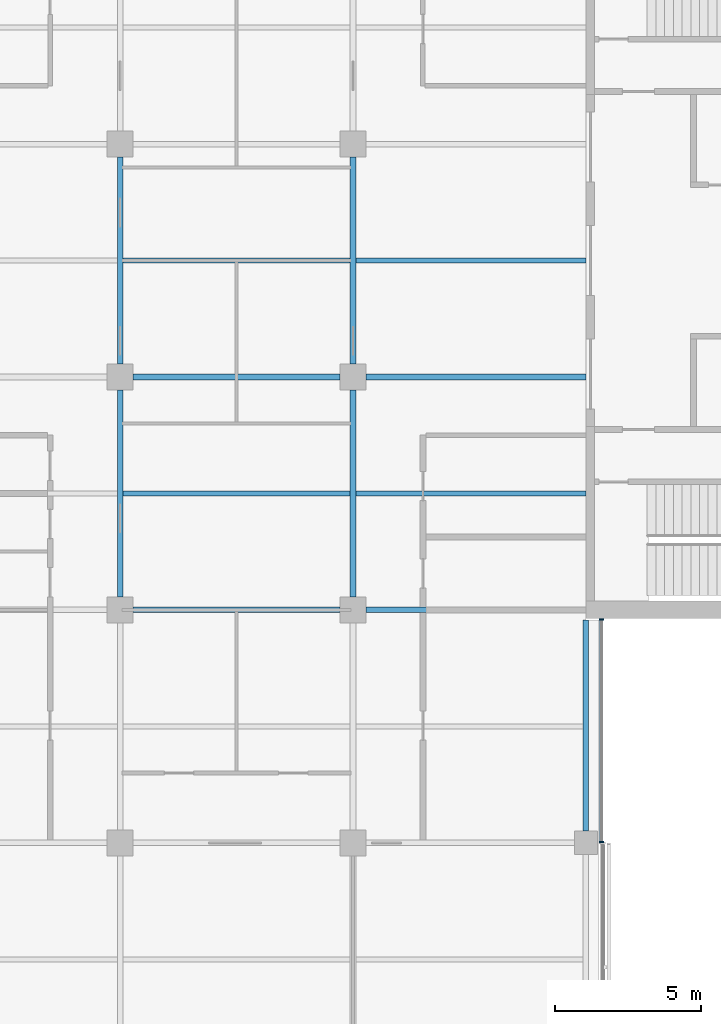
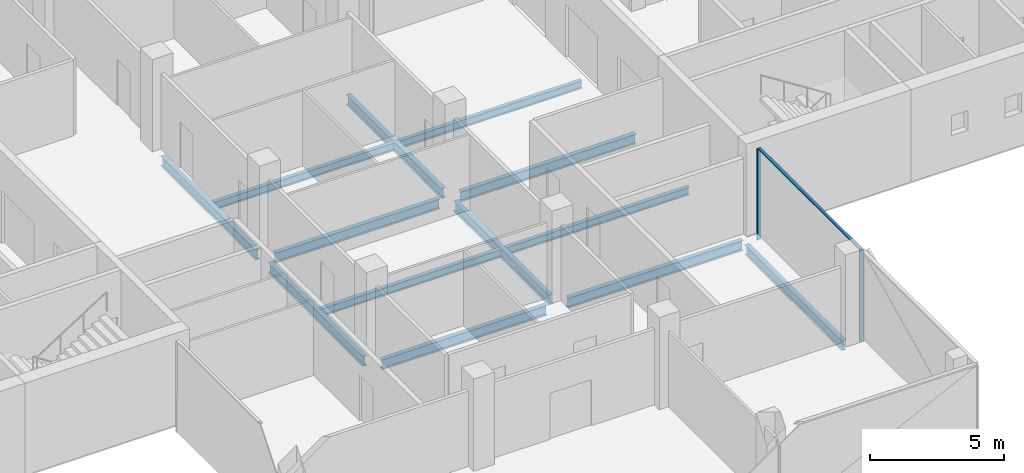
# One storey, part 5 of 18: 13 beams, 3 members, 1 element without a shape of its own.
"""IFC4 building model written with IfcOpenShell, lengths in metres."""

from ifc_helpers import new_model, si_unit, direction, frame, origin, origin_2d, place, context, subcontext, project, spatial, rectangle, i_section, extrude, material, material_profile, profile_set, type_object, element, aggregate, save


model = new_model("IFC4")

# Units and contexts
model_context = context("Model", 3, precision=1e-05, world=origin(), true_north=direction((0.0, 1.0)))
body_context = subcontext(model_context, "Body", "Model", "MODEL_VIEW")
ifc_project = project(units=[si_unit("LENGTHUNIT", "METRE"), si_unit("AREAUNIT", "SQUARE_METRE"), si_unit("VOLUMEUNIT", "CUBIC_METRE"), si_unit("PLANEANGLEUNIT", "RADIAN"), si_unit("MASSUNIT", "GRAM", prefix="KILO")], contexts=[model_context])

# Site, building, storey
site_placement = place(None, origin())
site = spatial("IfcSite", under=ifc_project, at=site_placement, CompositionType="ELEMENT")
building_placement = place(site_placement, origin())
building = spatial("IfcBuilding", under=site, at=building_placement, Name="Crosswind Convention Tower", CompositionType="ELEMENT")
storey_placement = place(building_placement, frame((0.0, 0.0, 178.89990234375)))
storey = spatial("IfcBuildingStorey", under=building, at=storey_placement, Name="L37", CompositionType="ELEMENT", Elevation=178.89990234375)

# Beams
ifc_material_1 = material(Name="Steel S355", Category="steel")
ifc_material_profile_1 = material_profile(ifc_material_1, i_section(OverallWidth=0.18994140625, OverallDepth=0.45361328125, WebThickness=0.008544921875, FlangeThickness=0.0126953125, FilletRadius=0.01025390625, at=origin_2d()), Name="UB 457x191x67")
ifc_profile_set_1 = profile_set([ifc_material_profile_1], Name="Steel S355")
beam_type_1 = type_object("IfcBeamType", Name="Edge beam UB 457x191x67", PredefinedType="SPANDREL", material=ifc_profile_set_1)
beam_placement = place(storey_placement, frame((137.0, 80.39990234375, -0.526611328125), z_axis=(0.0, 1.0, 0.0), x_axis=(-1.0, 0.0, 0.0)))
element("IfcBeam", 1, at=beam_placement, inside=storey, type_object=beam_type_1, Name="B16 L37 edge beam 17", PredefinedType="SPANDREL", context=body_context, shape_type="SweptSolid", body=[
    extrude(i_section(OverallWidth=0.18994140625, OverallDepth=0.45361328125, WebThickness=0.008544921875, FlangeThickness=0.0126953125, FilletRadius=0.01025390625, at=origin_2d()), origin(), (0.0, 0.0, 1.0), 7.25),
])
ifc_material_profile_2 = material_profile(ifc_material_1, i_section(OverallWidth=0.1904296875, OverallDepth=0.457275390625, WebThickness=0.009033203125, FlangeThickness=0.014404296875, FilletRadius=0.01025390625, at=origin_2d()), Name="UB 457x191x75")
ifc_profile_set_2 = profile_set([ifc_material_profile_2], Name="Steel S355")
beam_type_2 = type_object("IfcBeamType", Name="Girder UB 457x191x75", PredefinedType="BEAM", material=ifc_profile_set_2)
for number, where, z_axis, x_axis, name in (
    (2, (121.0, 88.449951171875, -0.528564453125), (0.0, 1.0, 0.0), (-1.0, 0.0, 0.0), "B2 L37 girder 5"),
    (3, (121.0, 96.449951171875, -0.528564453125), (0.0, 1.0, 0.0), (-1.0, 0.0, 0.0), "B2 L37 girder 6"),
    (4, (121.449951171875, 88.0, -0.528564453125), (1.0, 0.0, 0.0), (0.0, 1.0, 0.0), "B2 L37 girder 11"),
    (5, (121.449951171875, 96.0, -0.528564453125), (1.0, 0.0, 0.0), (0.0, 1.0, 0.0), "B2 L37 girder 12"),
    (6, (129.0, 88.449951171875, -0.528564453125), (0.0, 1.0, 0.0), (-1.0, 0.0, 0.0), "B2 L37 girder 18"),
    (7, (129.0, 96.449951171875, -0.528564453125), (0.0, 1.0, 0.0), (-1.0, 0.0, 0.0), "B2 L37 girder 19"),
):
    element("IfcBeam", number, at=place(storey_placement, frame(where, z_axis=z_axis, x_axis=x_axis)), inside=storey, type_object=beam_type_2, Name=name, PredefinedType="BEAM", context=body_context, shape_type="SweptSolid", body=[
        extrude(i_section(OverallWidth=0.1904296875, OverallDepth=0.457275390625, WebThickness=0.009033203125, FlangeThickness=0.014404296875, FilletRadius=0.01025390625, at=origin_2d()), origin(), (0.0, 0.0, 1.0), 7.10009765625),
    ])
ifc_material_profile_3 = material_profile(ifc_material_1, i_section(OverallWidth=0.19140625, OverallDepth=0.460205078125, WebThickness=0.010009765625, FlangeThickness=0.01611328125, FilletRadius=0.01025390625, at=origin_2d()), Name="UB 457x191x82")
ifc_profile_set_3 = profile_set([ifc_material_profile_3], Name="Steel S355")
beam_type_3 = type_object("IfcBeamType", Name="Girder at core wall UB 457x191x82", PredefinedType="BEAM", material=ifc_profile_set_3)
for number, where, z_axis, x_axis, name in (
    (8, (129.449951171875, 88.0, -0.530029296875), (1.0, 0.0, 0.0), (0.0, 1.0, 0.0), "B23 L37 girder at core wall 7"),
    (9, (129.449951171875, 96.0, -0.530029296875), (1.0, 0.0, 0.0), (0.0, 1.0, 0.0), "B23 L37 girder at core wall 8"),
):
    element("IfcBeam", number, at=place(storey_placement, frame(where, z_axis=z_axis, x_axis=x_axis)), inside=storey, type_object=beam_type_3, Name=name, PredefinedType="BEAM", context=body_context, shape_type="SweptSolid", body=[
        extrude(i_section(OverallWidth=0.19140625, OverallDepth=0.460205078125, WebThickness=0.010009765625, FlangeThickness=0.01611328125, FilletRadius=0.01025390625, at=origin_2d()), origin(), (0.0, 0.0, 1.0), 7.550048828125),
    ])

# Curtain wall, members
ifc_material_2 = material(Name="Aluminium unitised curtain wall", Category="aluminium")
curtain_wall_type = type_object("IfcCurtainWallType", Name="CORE END SLOT WALL 160", PredefinedType="USERDEFINED", material=ifc_material_2)
curtain_wall_placement = place(storey_placement, origin())
curtain_wall = element("IfcCurtainWall", 10, at=curtain_wall_placement, inside=storey, type_object=curtain_wall_type, Name="CW6 L37 S-E.1-2 slot", ObjectType="UNITISED", PredefinedType="USERDEFINED")
ifc_material_3 = material(Name="Aluminium mullion", Category="aluminium")
ifc_material_profile_4 = material_profile(ifc_material_3, rectangle(XDim=0.159912109375, YDim=0.050048828125, at=origin_2d()), Name="AL 160X50")
ifc_profile_set_4 = profile_set([ifc_material_profile_4], Name="Aluminium mullion")
member_type_1 = type_object("IfcMemberType", Name="MULLION 50X160", PredefinedType="MULLION", material=ifc_profile_set_4)
member_1_placement = place(storey_placement, frame((137.530029296875, 80.02490234375, -0.2998046875), z_axis=(0.0, 0.0, 1.0), x_axis=(1.0, 0.0, 0.0)))
member_1 = element("IfcMember", 11, at=member_1_placement, type_object=member_type_1, Name="CW6 mullion 1", PredefinedType="MULLION", context=body_context, shape_type="SweptSolid", body=[
    extrude(rectangle(XDim=0.159912109375, YDim=0.050048828125, at=origin_2d()), origin(), (0.0, 0.0, 1.0), 4.14990234375),
])
member_2_placement = place(storey_placement, frame((137.530029296875, 87.675048828125, -0.2998046875), z_axis=(0.0, 0.0, 1.0), x_axis=(1.0, 0.0, 0.0)))
member_2 = element("IfcMember", 12, at=member_2_placement, type_object=member_type_1, Name="CW6 mullion 2", PredefinedType="MULLION", context=body_context, shape_type="SweptSolid", body=[
    extrude(rectangle(XDim=0.159912109375, YDim=0.050048828125, at=origin_2d()), origin(), (0.0, 0.0, 1.0), 4.14990234375),
])

# Beams
ifc_material_profile_5 = material_profile(ifc_material_1, i_section(OverallWidth=0.172119140625, OverallDepth=0.358642578125, WebThickness=0.008056640625, FlangeThickness=0.012939453125, FilletRadius=0.01025390625, at=origin_2d()), Name="UB 356x171x57")
ifc_profile_set_5 = profile_set([ifc_material_profile_5], Name="Steel S355")
beam_type_4 = type_object("IfcBeamType", Name="Secondary beam UB 356x171x57", PredefinedType="JOIST", material=ifc_profile_set_5)
for number, where, z_axis, x_axis, name in (
    (13, (121.09521484375, 92.0, -0.479248046875), (1.0, 0.0, 0.0), (0.0, 1.0, 0.0), "B9 L37 secondary beam 13"),
    (14, (121.09521484375, 100.0, -0.479248046875), (1.0, 0.0, 0.0), (0.0, 1.0, 0.0), "B9 L37 secondary beam 14"),
):
    element("IfcBeam", number, at=place(storey_placement, frame(where, z_axis=z_axis, x_axis=x_axis)), inside=storey, type_object=beam_type_4, Name=name, PredefinedType="JOIST", context=body_context, shape_type="SweptSolid", body=[
        extrude(i_section(OverallWidth=0.172119140625, OverallDepth=0.358642578125, WebThickness=0.008056640625, FlangeThickness=0.012939453125, FilletRadius=0.01025390625, at=origin_2d()), origin(), (0.0, 0.0, 1.0), 7.8095703125),
    ])
for number, where, z_axis, x_axis, name in (
    (15, (129.09521484375, 92.0, -0.479248046875), (1.0, 0.0, 0.0), (0.0, 1.0, 0.0), "B9 L37 secondary beam 20"),
    (16, (129.09521484375, 100.0, -0.479248046875), (1.0, 0.0, 0.0), (0.0, 1.0, 0.0), "B9 L37 secondary beam 21"),
):
    element("IfcBeam", number, at=place(storey_placement, frame(where, z_axis=z_axis, x_axis=x_axis)), inside=storey, type_object=beam_type_4, Name=name, PredefinedType="JOIST", context=body_context, shape_type="SweptSolid", body=[
        extrude(i_section(OverallWidth=0.172119140625, OverallDepth=0.358642578125, WebThickness=0.008056640625, FlangeThickness=0.012939453125, FilletRadius=0.01025390625, at=origin_2d()), origin(), (0.0, 0.0, 1.0), 7.90478515625),
    ])

# Member
ifc_material_4 = material(Name="Aluminium transom", Category="aluminium")
ifc_material_profile_6 = material_profile(ifc_material_4, rectangle(XDim=0.1201171875, YDim=0.050048828125, at=origin_2d()), Name="AL 120X50")
ifc_profile_set_6 = profile_set([ifc_material_profile_6], Name="Aluminium transom")
member_type_2 = type_object("IfcMemberType", Name="TRANSOM 50X120", PredefinedType="USERDEFINED", material=ifc_profile_set_6)
member_3_placement = place(storey_placement, frame((137.530029296875, 80.050048828125, 3.875), z_axis=(0.0, 1.0, 0.0), x_axis=(-1.0, 0.0, 0.0)))
member_3 = element("IfcMember", 17, at=member_3_placement, type_object=member_type_2, Name="CW6 transom", ObjectType="TRANSOM", PredefinedType="USERDEFINED", context=body_context, shape_type="SweptSolid", body=[
    extrude(rectangle(XDim=0.1201171875, YDim=0.050048828125, at=origin_2d()), origin(), (0.0, 0.0, 1.0), 7.599853515625),
])

aggregate(curtain_wall, [member_1, member_2, member_3])

save(model, "model.ifc")
